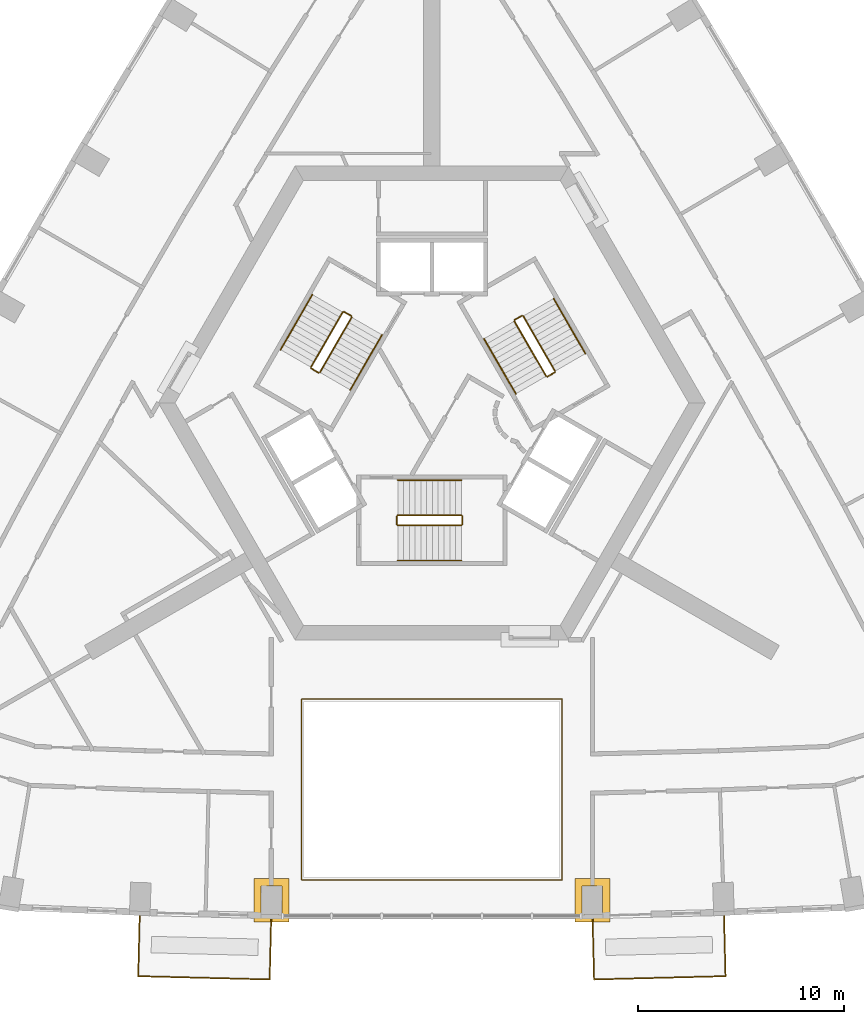
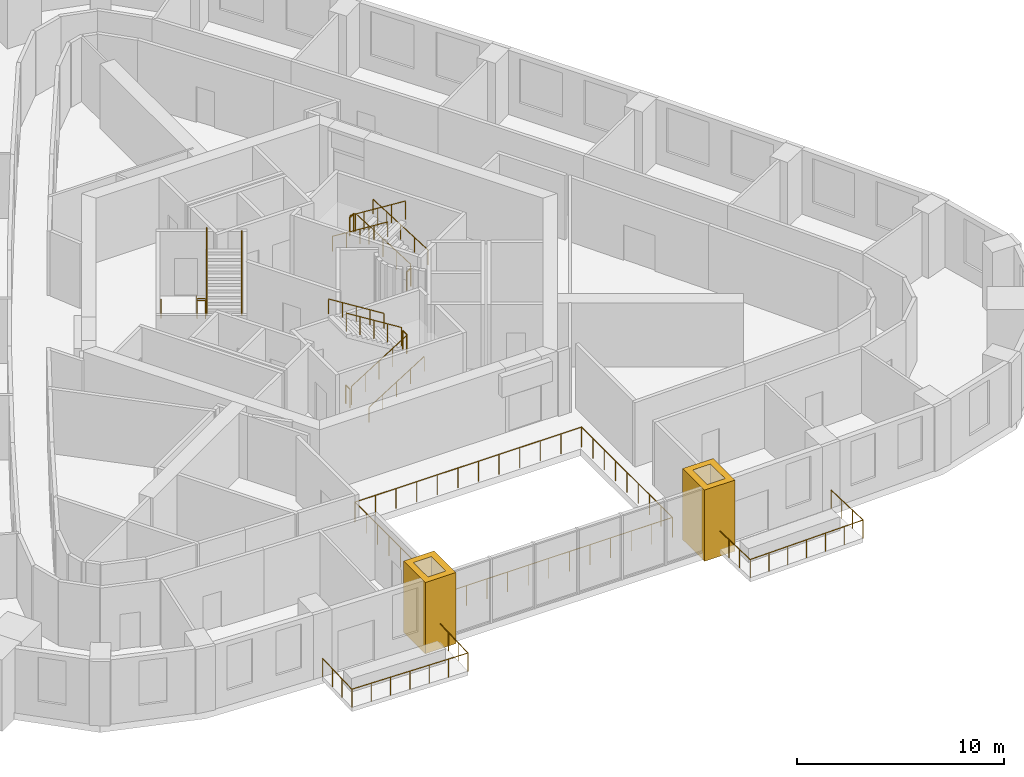
# One storey, part 11 of 11: 21 railings, 2 coverings.
"""IFC4 building model written with IfcOpenShell, lengths in metres."""

from ifc_helpers import new_model, si_unit, direction, frame, origin, origin_2d, place, context, subcontext, project, spatial, polyline, circle, outline, extrude, material, type_object, element, save


model = new_model("IFC4")

# Units and contexts
model_context = context("Model", 3, precision=1e-05, world=origin(), true_north=direction((0.0, 1.0)))
body_context = subcontext(model_context, "Body", "Model", "MODEL_VIEW")
ifc_project = project(units=[si_unit("LENGTHUNIT", "METRE"), si_unit("AREAUNIT", "SQUARE_METRE"), si_unit("VOLUMEUNIT", "CUBIC_METRE"), si_unit("PLANEANGLEUNIT", "RADIAN"), si_unit("MASSUNIT", "GRAM", prefix="KILO")], contexts=[model_context])

# Site, building, storey
site_placement = place(None, origin())
site = spatial("IfcSite", under=ifc_project, at=site_placement, CompositionType="ELEMENT")
building_placement = place(site_placement, origin())
building = spatial("IfcBuilding", under=site, at=building_placement, Name="Entoto Arch Interchange Tower", CompositionType="ELEMENT")
storey_placement = place(building_placement, frame((0.0, 0.0, 206.60009765625)))
storey = spatial("IfcBuildingStorey", under=building, at=storey_placement, Name="L46", CompositionType="ELEMENT", Elevation=206.60009765625)

# Railings
ifc_material_1 = material(Name="Stainless steel 1.4301", Category="steel")
railing_type_1 = type_object("IfcRailingType", Name="ATRIUM GUARD 1200 STEEL AND GLASS", PredefinedType="GUARDRAIL", material=ifc_material_1)
railing_1_placement = place(storey_placement, frame((6.320068359375, -20.6640625, 0.0)))
element("IfcRailing", 1, at=railing_1_placement, inside=storey, type_object=railing_type_1, Name="Atrium guard L46", PredefinedType="GUARDRAIL", context=body_context, shape_type="SweptSolid", body=[
    extrude(circle(Radius=0.02392578125, at=origin_2d()), frame((0.0, 0.0, 1.17578125), z_axis=(-1.0, 0.0, 0.0), x_axis=(0.0, -1.0, 0.0)), (0.0, 0.0, 1.0), 12.64013671875),
    extrude(circle(Radius=0.02392578125, at=origin_2d()), frame((-12.64013671875, 0.0, 1.17578125), z_axis=(0.0, 1.0, 0.0), x_axis=(-1.0, 0.0, 0.0)), (0.0, 0.0, 1.0), 8.7841796875),
    extrude(circle(Radius=0.02392578125, at=origin_2d()), frame((-12.64013671875, 8.7841796875, 1.17578125), z_axis=(1.0, 0.0, 0.0), x_axis=(0.0, 1.0, 0.0)), (0.0, 0.0, 1.0), 12.64013671875),
    extrude(circle(Radius=0.02392578125, at=origin_2d()), frame((0.0, 8.7841796875, 1.17578125), z_axis=(0.0, -1.0, 0.0), x_axis=(1.0, 0.0, 0.0)), (0.0, 0.0, 1.0), 8.7841796875),
    extrude(circle(Radius=0.02099609375, at=origin_2d()), origin(), (0.0, 0.0, 1.0), 1.15185546875),
    extrude(circle(Radius=0.02099609375, at=origin_2d()), frame((-1.149169921875, 0.0, 0.0)), (0.0, 0.0, 1.0), 1.15185546875),
    extrude(circle(Radius=0.02099609375, at=origin_2d()), frame((-2.298095703125, 0.0, 0.0)), (0.0, 0.0, 1.0), 1.15185546875),
    extrude(circle(Radius=0.02099609375, at=origin_2d()), frame((-3.447265625, 0.0, 0.0)), (0.0, 0.0, 1.0), 1.15185546875),
    extrude(circle(Radius=0.02099609375, at=origin_2d()), frame((-4.596435546875, 0.0, 0.0)), (0.0, 0.0, 1.0), 1.15185546875),
    extrude(circle(Radius=0.02099609375, at=origin_2d()), frame((-5.74560546875, 0.0, 0.0)), (0.0, 0.0, 1.0), 1.15185546875),
    extrude(circle(Radius=0.02099609375, at=origin_2d()), frame((-6.89453125, 0.0, 0.0)), (0.0, 0.0, 1.0), 1.15185546875),
    extrude(circle(Radius=0.02099609375, at=origin_2d()), frame((-8.043701171875, 0.0, 0.0)), (0.0, 0.0, 1.0), 1.15185546875),
    extrude(circle(Radius=0.02099609375, at=origin_2d()), frame((-9.19287109375, 0.0, 0.0)), (0.0, 0.0, 1.0), 1.15185546875),
    extrude(circle(Radius=0.02099609375, at=origin_2d()), frame((-10.342041015625, 0.0, 0.0)), (0.0, 0.0, 1.0), 1.15185546875),
    extrude(circle(Radius=0.02099609375, at=origin_2d()), frame((-11.490966796875, 0.0, 0.0)), (0.0, 0.0, 1.0), 1.15185546875),
    extrude(circle(Radius=0.02099609375, at=origin_2d()), frame((-12.64013671875, 0.0, 0.0)), (0.0, 0.0, 1.0), 1.15185546875),
    extrude(circle(Radius=0.02099609375, at=origin_2d()), frame((-12.64013671875, 1.09814453125, 0.0)), (0.0, 0.0, 1.0), 1.15185546875),
    extrude(circle(Radius=0.02099609375, at=origin_2d()), frame((-12.64013671875, 2.196044921875, 0.0)), (0.0, 0.0, 1.0), 1.15185546875),
    extrude(circle(Radius=0.02099609375, at=origin_2d()), frame((-12.64013671875, 3.2939453125, 0.0)), (0.0, 0.0, 1.0), 1.15185546875),
    extrude(circle(Radius=0.02099609375, at=origin_2d()), frame((-12.64013671875, 4.39208984375, 0.0)), (0.0, 0.0, 1.0), 1.15185546875),
    extrude(circle(Radius=0.02099609375, at=origin_2d()), frame((-12.64013671875, 5.490234375, 0.0)), (0.0, 0.0, 1.0), 1.15185546875),
    extrude(circle(Radius=0.02099609375, at=origin_2d()), frame((-12.64013671875, 6.588134765625, 0.0)), (0.0, 0.0, 1.0), 1.15185546875),
    extrude(circle(Radius=0.02099609375, at=origin_2d()), frame((-12.64013671875, 7.68603515625, 0.0)), (0.0, 0.0, 1.0), 1.15185546875),
    extrude(circle(Radius=0.02099609375, at=origin_2d()), frame((-12.64013671875, 8.7841796875, 0.0)), (0.0, 0.0, 1.0), 1.15185546875),
    extrude(circle(Radius=0.02099609375, at=origin_2d()), frame((-11.490966796875, 8.7841796875, 0.0)), (0.0, 0.0, 1.0), 1.15185546875),
    extrude(circle(Radius=0.02099609375, at=origin_2d()), frame((-10.342041015625, 8.7841796875, 0.0)), (0.0, 0.0, 1.0), 1.15185546875),
    extrude(circle(Radius=0.02099609375, at=origin_2d()), frame((-9.19287109375, 8.7841796875, 0.0)), (0.0, 0.0, 1.0), 1.15185546875),
    extrude(circle(Radius=0.02099609375, at=origin_2d()), frame((-8.043701171875, 8.7841796875, 0.0)), (0.0, 0.0, 1.0), 1.15185546875),
    extrude(circle(Radius=0.02099609375, at=origin_2d()), frame((-6.89453125, 8.7841796875, 0.0)), (0.0, 0.0, 1.0), 1.15185546875),
    extrude(circle(Radius=0.02099609375, at=origin_2d()), frame((-5.74560546875, 8.7841796875, 0.0)), (0.0, 0.0, 1.0), 1.15185546875),
    extrude(circle(Radius=0.02099609375, at=origin_2d()), frame((-4.596435546875, 8.7841796875, 0.0)), (0.0, 0.0, 1.0), 1.15185546875),
    extrude(circle(Radius=0.02099609375, at=origin_2d()), frame((-3.447265625, 8.7841796875, 0.0)), (0.0, 0.0, 1.0), 1.15185546875),
    extrude(circle(Radius=0.02099609375, at=origin_2d()), frame((-2.298095703125, 8.7841796875, 0.0)), (0.0, 0.0, 1.0), 1.15185546875),
    extrude(circle(Radius=0.02099609375, at=origin_2d()), frame((-1.149169921875, 8.7841796875, 0.0)), (0.0, 0.0, 1.0), 1.15185546875),
    extrude(circle(Radius=0.02099609375, at=origin_2d()), frame((0.0, 8.7841796875, 0.0)), (0.0, 0.0, 1.0), 1.15185546875),
    extrude(circle(Radius=0.02099609375, at=origin_2d()), frame((0.0, 7.68603515625, 0.0)), (0.0, 0.0, 1.0), 1.15185546875),
    extrude(circle(Radius=0.02099609375, at=origin_2d()), frame((0.0, 6.588134765625, 0.0)), (0.0, 0.0, 1.0), 1.15185546875),
    extrude(circle(Radius=0.02099609375, at=origin_2d()), frame((0.0, 5.490234375, 0.0)), (0.0, 0.0, 1.0), 1.15185546875),
    extrude(circle(Radius=0.02099609375, at=origin_2d()), frame((0.0, 4.39208984375, 0.0)), (0.0, 0.0, 1.0), 1.15185546875),
    extrude(circle(Radius=0.02099609375, at=origin_2d()), frame((0.0, 3.2939453125, 0.0)), (0.0, 0.0, 1.0), 1.15185546875),
    extrude(circle(Radius=0.02099609375, at=origin_2d()), frame((0.0, 2.196044921875, 0.0)), (0.0, 0.0, 1.0), 1.15185546875),
    extrude(circle(Radius=0.02099609375, at=origin_2d()), frame((0.0, 1.09814453125, 0.0)), (0.0, 0.0, 1.0), 1.15185546875),
])
railing_type_2 = type_object("IfcRailingType", Name="GUARD 1100 STEEL AND GLASS", PredefinedType="GUARDRAIL", material=ifc_material_1)
railing_2_placement = place(storey_placement, frame((-14.18505859375, -22.383056640625, 0.0)))
element("IfcRailing", 2, at=railing_2_placement, inside=storey, type_object=railing_type_2, Name="Balcony guard S-02 L46", PredefinedType="GUARDRAIL", context=body_context, shape_type="SweptSolid", body=[
    extrude(circle(Radius=0.02392578125, at=origin_2d()), frame((0.0, 0.0, 1.076171875), z_axis=(-0.025076969416, -0.999685523355, 0.0), x_axis=(0.999685523355, -0.025076969416, 0.0)), (0.0, 0.0, 1.0), 2.949951171875),
    extrude(circle(Radius=0.02392578125, at=origin_2d()), frame((-0.073974609375, -2.948974609375, 1.076171875), z_axis=(0.999682684669, -0.025189878377, 0.0), x_axis=(0.025189878377, 0.999682684669, 0.0)), (0.0, 0.0, 1.0), 6.386962890625),
    extrude(circle(Radius=0.02392578125, at=origin_2d()), frame((6.31103515625, -3.10986328125, 1.076171875), z_axis=(0.025076969416, 0.999685523355, 0.0), x_axis=(-0.999685523355, 0.025076969416, 0.0)), (0.0, 0.0, 1.0), 2.949951171875),
    extrude(circle(Radius=0.02099609375, at=origin_2d()), origin(), (0.0, 0.0, 1.0), 1.052001953125),
    extrude(circle(Radius=0.02099609375, at=origin_2d()), frame((-0.024658203125, -0.98291015625, 0.0)), (0.0, 0.0, 1.0), 1.052001953125),
    extrude(circle(Radius=0.02099609375, at=origin_2d()), frame((-0.04931640625, -1.966064453125, 0.0)), (0.0, 0.0, 1.0), 1.052001953125),
    extrude(circle(Radius=0.02099609375, at=origin_2d()), frame((-0.073974609375, -2.948974609375, 0.0)), (0.0, 0.0, 1.0), 1.052001953125),
    extrude(circle(Radius=0.02099609375, at=origin_2d()), frame((0.990234375, -2.975830078125, 0.0)), (0.0, 0.0, 1.0), 1.052001953125),
    extrude(circle(Radius=0.02099609375, at=origin_2d()), frame((2.054443359375, -3.002685546875, 0.0)), (0.0, 0.0, 1.0), 1.052001953125),
    extrude(circle(Radius=0.02099609375, at=origin_2d()), frame((3.11865234375, -3.029296875, 0.0)), (0.0, 0.0, 1.0), 1.052001953125),
    extrude(circle(Radius=0.02099609375, at=origin_2d()), frame((4.1826171875, -3.05615234375, 0.0)), (0.0, 0.0, 1.0), 1.052001953125),
    extrude(circle(Radius=0.02099609375, at=origin_2d()), frame((5.246826171875, -3.0830078125, 0.0)), (0.0, 0.0, 1.0), 1.052001953125),
    extrude(circle(Radius=0.02099609375, at=origin_2d()), frame((6.31103515625, -3.10986328125, 0.0)), (0.0, 0.0, 1.0), 1.052001953125),
    extrude(circle(Radius=0.02099609375, at=origin_2d()), frame((6.335693359375, -2.126953125, 0.0)), (0.0, 0.0, 1.0), 1.052001953125),
    extrude(circle(Radius=0.02099609375, at=origin_2d()), frame((6.3603515625, -1.143798828125, 0.0)), (0.0, 0.0, 1.0), 1.052001953125),
    extrude(circle(Radius=0.02099609375, at=origin_2d()), frame((6.385009765625, -0.160888671875, 0.0)), (0.0, 0.0, 1.0), 1.052001953125),
])
railing_3_placement = place(storey_placement, frame((7.800048828125, -22.5439453125, 0.0)))
element("IfcRailing", 3, at=railing_3_placement, inside=storey, type_object=railing_type_2, Name="Balcony guard S-04 L46", PredefinedType="GUARDRAIL", context=body_context, shape_type="SweptSolid", body=[
    extrude(circle(Radius=0.02392578125, at=origin_2d()), frame((0.0, 0.0, 1.076171875), z_axis=(0.025076969416, -0.999685523355, 0.0), x_axis=(0.999685523355, 0.025076969416, 0.0)), (0.0, 0.0, 1.0), 2.949951171875),
    extrude(circle(Radius=0.02392578125, at=origin_2d()), frame((0.073974609375, -2.948974609375, 1.076171875), z_axis=(0.999682684669, 0.025189878377, 0.0), x_axis=(-0.025189878377, 0.999682684669, 0.0)), (0.0, 0.0, 1.0), 6.386962890625),
    extrude(circle(Radius=0.02392578125, at=origin_2d()), frame((6.458984375, -2.7880859375, 1.076171875), z_axis=(-0.025076969416, 0.999685523355, 0.0), x_axis=(-0.999685523355, -0.025076969416, 0.0)), (0.0, 0.0, 1.0), 2.949951171875),
    extrude(circle(Radius=0.02099609375, at=origin_2d()), origin(), (0.0, 0.0, 1.0), 1.052001953125),
    extrude(circle(Radius=0.02099609375, at=origin_2d()), frame((0.024658203125, -0.98291015625, 0.0)), (0.0, 0.0, 1.0), 1.052001953125),
    extrude(circle(Radius=0.02099609375, at=origin_2d()), frame((0.04931640625, -1.966064453125, 0.0)), (0.0, 0.0, 1.0), 1.052001953125),
    extrude(circle(Radius=0.02099609375, at=origin_2d()), frame((0.073974609375, -2.948974609375, 0.0)), (0.0, 0.0, 1.0), 1.052001953125),
    extrude(circle(Radius=0.02099609375, at=origin_2d()), frame((1.13818359375, -2.922119140625, 0.0)), (0.0, 0.0, 1.0), 1.052001953125),
    extrude(circle(Radius=0.02099609375, at=origin_2d()), frame((2.202392578125, -2.895263671875, 0.0)), (0.0, 0.0, 1.0), 1.052001953125),
    extrude(circle(Radius=0.02099609375, at=origin_2d()), frame((3.2666015625, -2.86865234375, 0.0)), (0.0, 0.0, 1.0), 1.052001953125),
    extrude(circle(Radius=0.02099609375, at=origin_2d()), frame((4.33056640625, -2.841796875, 0.0)), (0.0, 0.0, 1.0), 1.052001953125),
    extrude(circle(Radius=0.02099609375, at=origin_2d()), frame((5.394775390625, -2.81494140625, 0.0)), (0.0, 0.0, 1.0), 1.052001953125),
    extrude(circle(Radius=0.02099609375, at=origin_2d()), frame((6.458984375, -2.7880859375, 0.0)), (0.0, 0.0, 1.0), 1.052001953125),
    extrude(circle(Radius=0.02099609375, at=origin_2d()), frame((6.434326171875, -1.80517578125, 0.0)), (0.0, 0.0, 1.0), 1.052001953125),
    extrude(circle(Radius=0.02099609375, at=origin_2d()), frame((6.40966796875, -0.822021484375, 0.0)), (0.0, 0.0, 1.0), 1.052001953125),
    extrude(circle(Radius=0.02099609375, at=origin_2d()), frame((6.385009765625, 0.160888671875, 0.0)), (0.0, 0.0, 1.0), 1.052001953125),
])

# Coverings
ifc_material_2 = material(Name="Board-marked precast concrete C50/60", Category="concrete")
covering_type = type_object("IfcCoveringType", Name="PRECAST FRAME COURSE", PredefinedType="CLADDING", material=ifc_material_2)
covering_1_placement = place(storey_placement, frame((0.0, 0.0, -0.400146484375)))
element("IfcCovering", 4, at=covering_1_placement, inside=storey, type_object=covering_type, Name="Gate pier L46", PredefinedType="CLADDING", context=body_context, shape_type="SweptSolid", body=[
    extrude(outline(polyline([(-8.637939453125, -20.593994140625), (-6.93798828125, -20.593994140625), (-6.93798828125, -22.694091796875), (-8.637939453125, -22.694091796875), (-8.637939453125, -20.593994140625)]), holes=[polyline([(-8.2880859375, -20.944091796875), (-8.2880859375, -22.343994140625), (-7.2880859375, -22.343994140625), (-7.2880859375, -20.944091796875), (-8.2880859375, -20.944091796875)])]), origin(), (0.0, 0.0, 1.0), 4.199951171875),
])
covering_2_placement = place(storey_placement, frame((0.0, 0.0, -0.400146484375)))
element("IfcCovering", 5, at=covering_2_placement, inside=storey, type_object=covering_type, Name="Gate pier L46", PredefinedType="CLADDING", context=body_context, shape_type="SweptSolid", body=[
    extrude(outline(polyline([(6.93798828125, -20.593994140625), (8.637939453125, -20.593994140625), (8.637939453125, -22.694091796875), (6.93798828125, -22.694091796875), (6.93798828125, -20.593994140625)]), holes=[polyline([(7.2880859375, -20.944091796875), (7.2880859375, -22.343994140625), (8.2880859375, -22.343994140625), (8.2880859375, -20.944091796875), (7.2880859375, -20.944091796875)])]), origin(), (0.0, 0.0, 1.0), 4.199951171875),
])

# Railings
railing_type_3 = type_object("IfcRailingType", Name="STAIR GUARD 1100 STEEL", PredefinedType="GUARDRAIL", material=ifc_material_1)
railing_4_placement = place(storey_placement, frame((-1.64990234375, -3.449951171875, 0.1748046875)))
element("IfcRailing", 6, at=railing_4_placement, inside=storey, type_object=railing_type_3, Name="L46 ST-S stair guard 1", PredefinedType="GUARDRAIL", context=body_context, shape_type="SweptSolid", body=[
    extrude(circle(Radius=0.02392578125, at=origin_2d()), frame((0.0, 0.0, 1.076171875), z_axis=(0.847979421464, 0.0, 0.530029150871), x_axis=(0.0, 1.0, 0.0)), (0.0, 0.0, 1.0), 3.632080078125),
    extrude(circle(Radius=0.02099609375, at=origin_2d()), origin(), (0.0, 0.0, 1.0), 1.052001953125),
    extrude(circle(Radius=0.02099609375, at=origin_2d()), frame((0.77001953125, 0.0, 0.481201171875)), (0.0, 0.0, 1.0), 1.052001953125),
    extrude(circle(Radius=0.02099609375, at=origin_2d()), frame((1.5400390625, 0.0, 0.96240234375)), (0.0, 0.0, 1.0), 1.052001953125),
    extrude(circle(Radius=0.02099609375, at=origin_2d()), frame((2.309814453125, 0.0, 1.44384765625)), (0.0, 0.0, 1.0), 1.052001953125),
    extrude(circle(Radius=0.02099609375, at=origin_2d()), frame((3.079833984375, 0.0, 1.925048828125)), (0.0, 0.0, 1.0), 1.052001953125),
])
railing_5_placement = place(storey_placement, frame((1.47998046875, -3.39990234375, 2.099853515625)))
element("IfcRailing", 7, at=railing_5_placement, inside=storey, type_object=railing_type_3, Name="L46 ST-S stair guard 2", PredefinedType="GUARDRAIL", context=body_context, shape_type="SweptSolid", body=[
    extrude(circle(Radius=0.02392578125, at=origin_2d()), frame((0.0, 0.0, 1.076171875), z_axis=(0.0, 1.0, 0.0), x_axis=(-1.0, 0.0, 0.0)), (0.0, 0.0, 1.0), 0.39990234375),
    extrude(circle(Radius=0.02099609375, at=origin_2d()), origin(), (0.0, 0.0, 1.0), 1.052001953125),
    extrude(circle(Radius=0.02099609375, at=origin_2d()), frame((0.0, 0.39990234375, 0.0)), (0.0, 0.0, 1.0), 1.052001953125),
])
railing_6_placement = place(storey_placement, frame((1.429931640625, -2.949951171875, 2.27490234375)))
element("IfcRailing", 8, at=railing_6_placement, inside=storey, type_object=railing_type_3, Name="L46 ST-S stair guard 3", PredefinedType="GUARDRAIL", context=body_context, shape_type="SweptSolid", body=[
    extrude(circle(Radius=0.02392578125, at=origin_2d()), frame((0.0, 0.0, 1.076171875), z_axis=(-0.847979421464, 0.0, 0.530029150871), x_axis=(0.0, -1.0, 0.0)), (0.0, 0.0, 1.0), 3.632080078125),
    extrude(circle(Radius=0.02099609375, at=origin_2d()), origin(), (0.0, 0.0, 1.0), 1.052001953125),
    extrude(circle(Radius=0.02099609375, at=origin_2d()), frame((-0.77001953125, 0.0, 0.481201171875)), (0.0, 0.0, 1.0), 1.052001953125),
    extrude(circle(Radius=0.02099609375, at=origin_2d()), frame((-1.5400390625, 0.0, 0.96240234375)), (0.0, 0.0, 1.0), 1.052001953125),
    extrude(circle(Radius=0.02099609375, at=origin_2d()), frame((-2.309814453125, 0.0, 1.44384765625)), (0.0, 0.0, 1.0), 1.052001953125),
    extrude(circle(Radius=0.02099609375, at=origin_2d()), frame((-3.079833984375, 0.0, 1.925048828125)), (0.0, 0.0, 1.0), 1.052001953125),
])
railing_7_placement = place(storey_placement, frame((-1.699951171875, -3.39990234375, 0.0)))
element("IfcRailing", 9, at=railing_7_placement, inside=storey, type_object=railing_type_3, Name="L46 ST-S stair guard 4", PredefinedType="GUARDRAIL", context=body_context, shape_type="SweptSolid", body=[
    extrude(circle(Radius=0.02392578125, at=origin_2d()), frame((0.0, 0.0, 1.076171875), z_axis=(0.0, 1.0, 0.0), x_axis=(-1.0, 0.0, 0.0)), (0.0, 0.0, 1.0), 0.39990234375),
    extrude(circle(Radius=0.02099609375, at=origin_2d()), origin(), (0.0, 0.0, 1.0), 1.052001953125),
    extrude(circle(Radius=0.02099609375, at=origin_2d()), frame((0.0, 0.39990234375, 0.0)), (0.0, 0.0, 1.0), 1.052001953125),
])
railing_8_placement = place(storey_placement, frame((5.977783203125, 4.046142578125, 0.1748046875)))
element("IfcRailing", 10, at=railing_8_placement, inside=storey, type_object=railing_type_3, Name="L46 ST-NE stair guard 1", PredefinedType="GUARDRAIL", context=body_context, shape_type="SweptSolid", body=[
    extrude(circle(Radius=0.02392578125, at=origin_2d()), frame((0.0, 0.0, 1.076171875), z_axis=(-0.424015404183, 0.734364028329, 0.530019255228), x_axis=(-0.866010015463, -0.500026652407, 0.0)), (0.0, 0.0, 1.0), 3.632080078125),
    extrude(circle(Radius=0.02099609375, at=origin_2d()), origin(), (0.0, 0.0, 1.0), 1.052001953125),
    extrude(circle(Radius=0.02099609375, at=origin_2d()), frame((-0.385009765625, 0.666748046875, 0.481201171875)), (0.0, 0.0, 1.0), 1.052001953125),
    extrude(circle(Radius=0.02099609375, at=origin_2d()), frame((-0.77001953125, 1.33349609375, 0.96240234375)), (0.0, 0.0, 1.0), 1.052001953125),
    extrude(circle(Radius=0.02099609375, at=origin_2d()), frame((-1.155029296875, 2.00048828125, 1.44384765625)), (0.0, 0.0, 1.0), 1.052001953125),
    extrude(circle(Radius=0.02099609375, at=origin_2d()), frame((-1.5400390625, 2.667236328125, 1.925048828125)), (0.0, 0.0, 1.0), 1.052001953125),
])
railing_9_placement = place(storey_placement, frame((4.36962890625, 6.731689453125, 2.099853515625)))
element("IfcRailing", 11, at=railing_9_placement, inside=storey, type_object=railing_type_3, Name="L46 ST-NE stair guard 2", PredefinedType="GUARDRAIL", context=body_context, shape_type="SweptSolid", body=[
    extrude(circle(Radius=0.02392578125, at=origin_2d()), frame((0.0, 0.0, 1.076171875), z_axis=(-0.866094119867, -0.499880961361, 0.0), x_axis=(0.499880961361, -0.866094119867, 0.0)), (0.0, 0.0, 1.0), 0.39990234375),
    extrude(circle(Radius=0.02099609375, at=origin_2d()), origin(), (0.0, 0.0, 1.0), 1.052001953125),
    extrude(circle(Radius=0.02099609375, at=origin_2d()), frame((-0.346435546875, -0.199951171875, 0.0)), (0.0, 0.0, 1.0), 1.052001953125),
])
railing_10_placement = place(storey_placement, frame((4.0048828125, 6.46337890625, 2.27490234375)))
element("IfcRailing", 12, at=railing_10_placement, inside=storey, type_object=railing_type_3, Name="L46 ST-NE stair guard 3", PredefinedType="GUARDRAIL", context=body_context, shape_type="SweptSolid", body=[
    extrude(circle(Radius=0.02392578125, at=origin_2d()), frame((0.0, 0.0, 1.076171875), z_axis=(0.424015404183, -0.734364028329, 0.530019255228), x_axis=(0.866010015463, 0.500026652407, 0.0)), (0.0, 0.0, 1.0), 3.632080078125),
    extrude(circle(Radius=0.02099609375, at=origin_2d()), origin(), (0.0, 0.0, 1.0), 1.052001953125),
    extrude(circle(Radius=0.02099609375, at=origin_2d()), frame((0.385009765625, -0.666748046875, 0.481201171875)), (0.0, 0.0, 1.0), 1.052001953125),
    extrude(circle(Radius=0.02099609375, at=origin_2d()), frame((0.77001953125, -1.33349609375, 0.96240234375)), (0.0, 0.0, 1.0), 1.052001953125),
    extrude(circle(Radius=0.02099609375, at=origin_2d()), frame((1.155029296875, -2.00048828125, 1.44384765625)), (0.0, 0.0, 1.0), 1.052001953125),
    extrude(circle(Radius=0.02099609375, at=origin_2d()), frame((1.5400390625, -2.667236328125, 1.925048828125)), (0.0, 0.0, 1.0), 1.052001953125),
])
railing_11_placement = place(storey_placement, frame((5.95947265625, 3.977783203125, 0.0)))
element("IfcRailing", 13, at=railing_11_placement, inside=storey, type_object=railing_type_3, Name="L46 ST-NE stair guard 4", PredefinedType="GUARDRAIL", context=body_context, shape_type="SweptSolid", body=[
    extrude(circle(Radius=0.02392578125, at=origin_2d()), frame((0.0, 0.0, 1.076171875), z_axis=(-0.866094119867, -0.499880961361, 0.0), x_axis=(0.499880961361, -0.866094119867, 0.0)), (0.0, 0.0, 1.0), 0.39990234375),
    extrude(circle(Radius=0.02099609375, at=origin_2d()), origin(), (0.0, 0.0, 1.0), 1.052001953125),
    extrude(circle(Radius=0.02099609375, at=origin_2d()), frame((-0.346435546875, -0.199951171875, 0.0)), (0.0, 0.0, 1.0), 1.052001953125),
])
railing_12_placement = place(storey_placement, frame((-4.327880859375, 6.904052734375, 0.1748046875)))
element("IfcRailing", 14, at=railing_12_placement, inside=storey, type_object=railing_type_3, Name="L46 ST-NW stair guard 1", PredefinedType="GUARDRAIL", context=body_context, shape_type="SweptSolid", body=[
    extrude(circle(Radius=0.02392578125, at=origin_2d()), frame((0.0, 0.0, 1.076171875), z_axis=(-0.423994474112, -0.734394994316, 0.52999309264), x_axis=(0.866029832698, -0.499992328818, 0.0)), (0.0, 0.0, 1.0), 3.63232421875),
    extrude(circle(Radius=0.02099609375, at=origin_2d()), origin(), (0.0, 0.0, 1.0), 1.052001953125),
    extrude(circle(Radius=0.02099609375, at=origin_2d()), frame((-0.385009765625, -0.6669921875, 0.481201171875)), (0.0, 0.0, 1.0), 1.052001953125),
    extrude(circle(Radius=0.02099609375, at=origin_2d()), frame((-0.77001953125, -1.333740234375, 0.96240234375)), (0.0, 0.0, 1.0), 1.052001953125),
    extrude(circle(Radius=0.02099609375, at=origin_2d()), frame((-1.155029296875, -2.00048828125, 1.44384765625)), (0.0, 0.0, 1.0), 1.052001953125),
    extrude(circle(Radius=0.02099609375, at=origin_2d()), frame((-1.5400390625, -2.66748046875, 1.925048828125)), (0.0, 0.0, 1.0), 1.052001953125),
])
railing_13_placement = place(storey_placement, frame((-5.849609375, 4.168212890625, 2.099853515625)))
element("IfcRailing", 15, at=railing_13_placement, inside=storey, type_object=railing_type_3, Name="L46 ST-NW stair guard 2", PredefinedType="GUARDRAIL", context=body_context, shape_type="SweptSolid", body=[
    extrude(circle(Radius=0.02392578125, at=origin_2d()), frame((0.0, 0.0, 1.076171875), z_axis=(0.866094119867, -0.499880961361, 0.0), x_axis=(0.499880961361, 0.866094119867, 0.0)), (0.0, 0.0, 1.0), 0.39990234375),
    extrude(circle(Radius=0.02099609375, at=origin_2d()), origin(), (0.0, 0.0, 1.0), 1.052001953125),
    extrude(circle(Radius=0.02099609375, at=origin_2d()), frame((0.346435546875, -0.199951171875, 0.0)), (0.0, 0.0, 1.0), 1.052001953125),
])
railing_14_placement = place(storey_placement, frame((-5.434814453125, 3.986572265625, 2.27490234375)))
element("IfcRailing", 16, at=railing_14_placement, inside=storey, type_object=railing_type_3, Name="L46 ST-NW stair guard 3", PredefinedType="GUARDRAIL", context=body_context, shape_type="SweptSolid", body=[
    extrude(circle(Radius=0.02392578125, at=origin_2d()), frame((0.0, 0.0, 1.076171875), z_axis=(0.423994474112, 0.734394994316, 0.52999309264), x_axis=(-0.866029832698, 0.499992328818, 0.0)), (0.0, 0.0, 1.0), 3.63232421875),
    extrude(circle(Radius=0.02099609375, at=origin_2d()), origin(), (0.0, 0.0, 1.0), 1.052001953125),
    extrude(circle(Radius=0.02099609375, at=origin_2d()), frame((0.385009765625, 0.6669921875, 0.481201171875)), (0.0, 0.0, 1.0), 1.052001953125),
    extrude(circle(Radius=0.02099609375, at=origin_2d()), frame((0.77001953125, 1.333740234375, 0.96240234375)), (0.0, 0.0, 1.0), 1.052001953125),
    extrude(circle(Radius=0.02099609375, at=origin_2d()), frame((1.155029296875, 2.00048828125, 1.44384765625)), (0.0, 0.0, 1.0), 1.052001953125),
    extrude(circle(Radius=0.02099609375, at=origin_2d()), frame((1.5400390625, 2.66748046875, 1.925048828125)), (0.0, 0.0, 1.0), 1.052001953125),
])
railing_15_placement = place(storey_placement, frame((-4.259521484375, 6.92236328125, 0.0)))
element("IfcRailing", 17, at=railing_15_placement, inside=storey, type_object=railing_type_3, Name="L46 ST-NW stair guard 4", PredefinedType="GUARDRAIL", context=body_context, shape_type="SweptSolid", body=[
    extrude(circle(Radius=0.02392578125, at=origin_2d()), frame((0.0, 0.0, 1.076171875), z_axis=(0.865829829939, -0.500338590944, 0.0), x_axis=(0.500338590944, 0.865829829939, 0.0)), (0.0, 0.0, 1.0), 0.400146484375),
    extrude(circle(Radius=0.02099609375, at=origin_2d()), origin(), (0.0, 0.0, 1.0), 1.052001953125),
    extrude(circle(Radius=0.02099609375, at=origin_2d()), frame((0.346435546875, -0.2001953125, 0.0)), (0.0, 0.0, 1.0), 1.052001953125),
])
railing_type_4 = type_object("IfcRailingType", Name="STAIR HANDRAIL 900 STEEL", PredefinedType="HANDRAIL", material=ifc_material_1)
railing_16_placement = place(storey_placement, frame((-1.64990234375, -5.14990234375, 0.1748046875)))
element("IfcRailing", 18, at=railing_16_placement, inside=storey, type_object=railing_type_4, Name="L46 ST-S stair handrail 1", PredefinedType="HANDRAIL", context=body_context, shape_type="SweptSolid", body=[
    extrude(circle(Radius=0.02392578125, at=origin_2d()), frame((0.0, 0.0, 0.8759765625), z_axis=(0.847979421464, 0.0, 0.530029150871), x_axis=(0.0, 1.0, 0.0)), (0.0, 0.0, 1.0), 3.632080078125),
    extrude(circle(Radius=0.02099609375, at=origin_2d()), origin(), (0.0, 0.0, 1.0), 0.851806640625),
    extrude(circle(Radius=0.02099609375, at=origin_2d()), frame((0.77001953125, 0.0, 0.481201171875)), (0.0, 0.0, 1.0), 0.851806640625),
    extrude(circle(Radius=0.02099609375, at=origin_2d()), frame((1.5400390625, 0.0, 0.96240234375)), (0.0, 0.0, 1.0), 0.851806640625),
    extrude(circle(Radius=0.02099609375, at=origin_2d()), frame((2.309814453125, 0.0, 1.44384765625)), (0.0, 0.0, 1.0), 0.851806640625),
    extrude(circle(Radius=0.02099609375, at=origin_2d()), frame((3.079833984375, 0.0, 1.925048828125)), (0.0, 0.0, 1.0), 0.851806640625),
])
railing_17_placement = place(storey_placement, frame((1.429931640625, -1.25, 2.27490234375)))
element("IfcRailing", 19, at=railing_17_placement, inside=storey, type_object=railing_type_4, Name="L46 ST-S stair handrail 2", PredefinedType="HANDRAIL", context=body_context, shape_type="SweptSolid", body=[
    extrude(circle(Radius=0.02392578125, at=origin_2d()), frame((0.0, 0.0, 0.8759765625), z_axis=(-0.847979421464, 0.0, 0.530029150871), x_axis=(0.0, -1.0, 0.0)), (0.0, 0.0, 1.0), 3.632080078125),
    extrude(circle(Radius=0.02099609375, at=origin_2d()), origin(), (0.0, 0.0, 1.0), 0.851806640625),
    extrude(circle(Radius=0.02099609375, at=origin_2d()), frame((-0.77001953125, 0.0, 0.481201171875)), (0.0, 0.0, 1.0), 0.851806640625),
    extrude(circle(Radius=0.02099609375, at=origin_2d()), frame((-1.5400390625, 0.0, 0.96240234375)), (0.0, 0.0, 1.0), 0.851806640625),
    extrude(circle(Radius=0.02099609375, at=origin_2d()), frame((-2.309814453125, 0.0, 1.44384765625)), (0.0, 0.0, 1.0), 0.851806640625),
    extrude(circle(Radius=0.02099609375, at=origin_2d()), frame((-3.079833984375, 0.0, 1.925048828125)), (0.0, 0.0, 1.0), 0.851806640625),
])
railing_18_placement = place(storey_placement, frame((7.4501953125, 4.89599609375, 0.1748046875)))
element("IfcRailing", 20, at=railing_18_placement, inside=storey, type_object=railing_type_4, Name="L46 ST-NE stair handrail 1", PredefinedType="HANDRAIL", context=body_context, shape_type="SweptSolid", body=[
    extrude(circle(Radius=0.02392578125, at=origin_2d()), frame((0.0, 0.0, 0.8759765625), z_axis=(-0.423994474112, 0.734394994316, 0.52999309264), x_axis=(-0.866029832698, -0.499992328818, 0.0)), (0.0, 0.0, 1.0), 3.63232421875),
    extrude(circle(Radius=0.02099609375, at=origin_2d()), origin(), (0.0, 0.0, 1.0), 0.851806640625),
    extrude(circle(Radius=0.02099609375, at=origin_2d()), frame((-0.385009765625, 0.6669921875, 0.481201171875)), (0.0, 0.0, 1.0), 0.851806640625),
    extrude(circle(Radius=0.02099609375, at=origin_2d()), frame((-0.77001953125, 1.333740234375, 0.96240234375)), (0.0, 0.0, 1.0), 0.851806640625),
    extrude(circle(Radius=0.02099609375, at=origin_2d()), frame((-1.155029296875, 2.00048828125, 1.44384765625)), (0.0, 0.0, 1.0), 0.851806640625),
    extrude(circle(Radius=0.02099609375, at=origin_2d()), frame((-1.5400390625, 2.66748046875, 1.925048828125)), (0.0, 0.0, 1.0), 0.851806640625),
])
railing_19_placement = place(storey_placement, frame((2.53271484375, 5.613525390625, 2.27490234375)))
element("IfcRailing", 21, at=railing_19_placement, inside=storey, type_object=railing_type_4, Name="L46 ST-NE stair handrail 2", PredefinedType="HANDRAIL", context=body_context, shape_type="SweptSolid", body=[
    extrude(circle(Radius=0.02392578125, at=origin_2d()), frame((0.0, 0.0, 0.8759765625), z_axis=(0.423939339791, -0.734415923031, 0.53000819633), x_axis=(0.866064153644, 0.499932877268, 0.0)), (0.0, 0.0, 1.0), 3.632080078125),
    extrude(circle(Radius=0.02099609375, at=origin_2d()), origin(), (0.0, 0.0, 1.0), 0.851806640625),
    extrude(circle(Radius=0.02099609375, at=origin_2d()), frame((0.385009765625, -0.6669921875, 0.481201171875)), (0.0, 0.0, 1.0), 0.851806640625),
    extrude(circle(Radius=0.02099609375, at=origin_2d()), frame((0.77001953125, -1.333740234375, 0.96240234375)), (0.0, 0.0, 1.0), 0.851806640625),
    extrude(circle(Radius=0.02099609375, at=origin_2d()), frame((1.15478515625, -2.00048828125, 1.44384765625)), (0.0, 0.0, 1.0), 0.851806640625),
    extrude(circle(Radius=0.02099609375, at=origin_2d()), frame((1.539794921875, -2.66748046875, 1.925048828125)), (0.0, 0.0, 1.0), 0.851806640625),
])
railing_20_placement = place(storey_placement, frame((-5.800048828125, 7.75390625, 0.1748046875)))
element("IfcRailing", 22, at=railing_20_placement, inside=storey, type_object=railing_type_4, Name="L46 ST-NW stair handrail 1", PredefinedType="HANDRAIL", context=body_context, shape_type="SweptSolid", body=[
    extrude(circle(Radius=0.02392578125, at=origin_2d()), frame((0.0, 0.0, 0.8759765625), z_axis=(-0.424015404183, -0.734364028329, 0.530019255228), x_axis=(0.866010015463, -0.500026652407, 0.0)), (0.0, 0.0, 1.0), 3.632080078125),
    extrude(circle(Radius=0.02099609375, at=origin_2d()), origin(), (0.0, 0.0, 1.0), 0.851806640625),
    extrude(circle(Radius=0.02099609375, at=origin_2d()), frame((-0.385009765625, -0.666748046875, 0.481201171875)), (0.0, 0.0, 1.0), 0.851806640625),
    extrude(circle(Radius=0.02099609375, at=origin_2d()), frame((-0.77001953125, -1.33349609375, 0.96240234375)), (0.0, 0.0, 1.0), 0.851806640625),
    extrude(circle(Radius=0.02099609375, at=origin_2d()), frame((-1.155029296875, -2.00048828125, 1.44384765625)), (0.0, 0.0, 1.0), 0.851806640625),
    extrude(circle(Radius=0.02099609375, at=origin_2d()), frame((-1.5400390625, -2.667236328125, 1.925048828125)), (0.0, 0.0, 1.0), 0.851806640625),
])
railing_21_placement = place(storey_placement, frame((-3.962646484375, 3.136474609375, 2.27490234375)))
element("IfcRailing", 23, at=railing_21_placement, inside=storey, type_object=railing_type_4, Name="L46 ST-NW stair handrail 2", PredefinedType="HANDRAIL", context=body_context, shape_type="SweptSolid", body=[
    extrude(circle(Radius=0.02392578125, at=origin_2d()), frame((0.0, 0.0, 0.8759765625), z_axis=(0.423994474112, 0.734394994316, 0.52999309264), x_axis=(-0.866029832698, 0.499992328818, 0.0)), (0.0, 0.0, 1.0), 3.63232421875),
    extrude(circle(Radius=0.02099609375, at=origin_2d()), origin(), (0.0, 0.0, 1.0), 0.851806640625),
    extrude(circle(Radius=0.02099609375, at=origin_2d()), frame((0.385009765625, 0.6669921875, 0.481201171875)), (0.0, 0.0, 1.0), 0.851806640625),
    extrude(circle(Radius=0.02099609375, at=origin_2d()), frame((0.77001953125, 1.333740234375, 0.96240234375)), (0.0, 0.0, 1.0), 0.851806640625),
    extrude(circle(Radius=0.02099609375, at=origin_2d()), frame((1.155029296875, 2.00048828125, 1.44384765625)), (0.0, 0.0, 1.0), 0.851806640625),
    extrude(circle(Radius=0.02099609375, at=origin_2d()), frame((1.5400390625, 2.66748046875, 1.925048828125)), (0.0, 0.0, 1.0), 0.851806640625),
])

save(model, "model.ifc")
